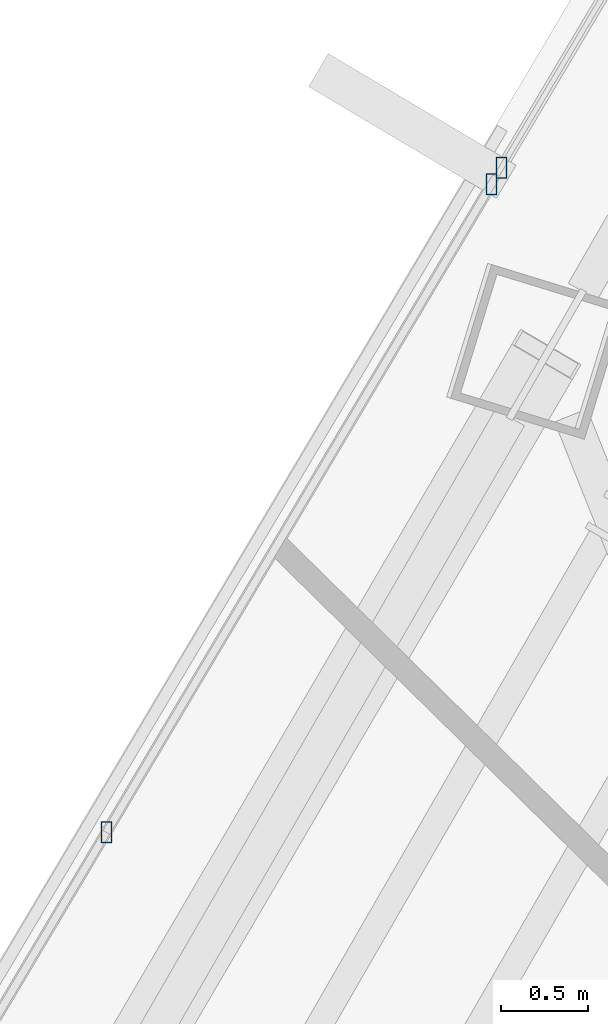
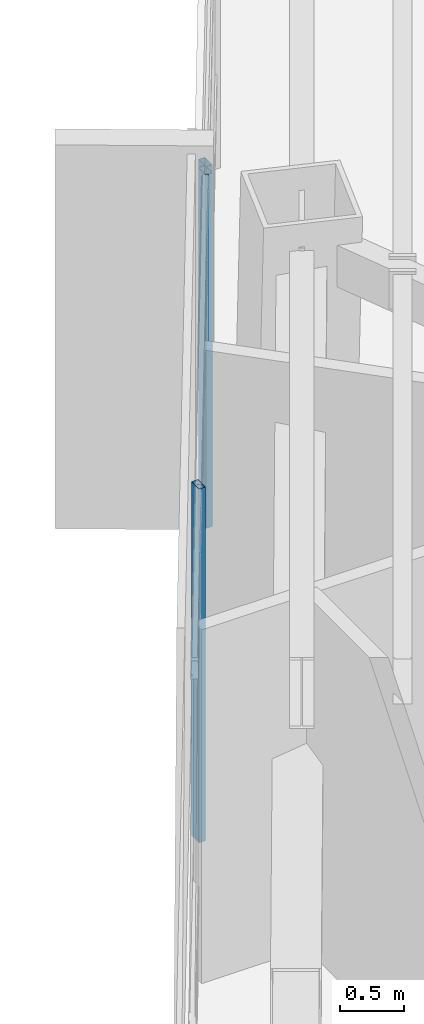
# One storey, part 19 of 49: 3 members, 2 elements without a shape of their own.
"""IFC4 building model written with IfcOpenShell, lengths in metres."""

from ifc_helpers import new_model, si_unit, direction, frame, origin, origin_2d, place, context, subcontext, project, spatial, hollow_rectangle, extrude, source, transform, mapped, material, material_profile, profile_set, type_object, type_shapes, element, aggregate, save


model = new_model("IFC4")

# Units and contexts
model_context = context("Model", 3, precision=1e-05, world=origin(), true_north=direction((0.0, 1.0)))
body_context = subcontext(model_context, "Body", "Model", "MODEL_VIEW")
ifc_project = project(units=[si_unit("LENGTHUNIT", "METRE"), si_unit("AREAUNIT", "SQUARE_METRE"), si_unit("VOLUMEUNIT", "CUBIC_METRE"), si_unit("PLANEANGLEUNIT", "RADIAN"), si_unit("MASSUNIT", "GRAM", prefix="KILO")], contexts=[model_context])

# Site, building, storey
site_placement = place(None, origin())
site = spatial("IfcSite", under=ifc_project, at=site_placement, CompositionType="ELEMENT")
building_placement = place(site_placement, origin())
building = spatial("IfcBuilding", under=site, at=building_placement, Name="Caelisora Broadcast Tower", CompositionType="ELEMENT")
storey_placement = place(building_placement, frame((0.0, 0.0, 233.5)))
storey = spatial("IfcBuildingStorey", under=building, at=storey_placement, Name="L61", CompositionType="ELEMENT", Elevation=233.5)

# Curtain wall, members
ifc_material_1 = material(Name="Unitised Aluminium Insulated Shadow-Box Spandrel Curtain Wall", Category="aluminium")
curtain_wall_type_1 = type_object("IfcCurtainWallType", Name="CW-SP3", PredefinedType="NOTDEFINED", material=ifc_material_1)
curtain_wall_1_placement = place(storey_placement, origin())
curtain_wall_1 = element("IfcCurtainWall", 1, at=curtain_wall_1_placement, inside=storey, type_object=curtain_wall_type_1, Name="L61 curtain wall CW-SP3", PredefinedType="NOTDEFINED")
ifc_material_2 = material(Name="Aluminium 6063-T6 Anodised Terracotta Bronze", Category="aluminium")
ifc_material_profile = material_profile(ifc_material_2, hollow_rectangle(XDim=0.06005859375, YDim=0.1201171875, WallThickness=0.0029296875, at=origin_2d()), Name="Aluminium 6063-T6 Anodised Terracotta Bronze")
ifc_profile_set = profile_set([ifc_material_profile], Name="Aluminium 6063-T6 Anodised Terracotta Bronze")
member_type = type_object("IfcMemberType", Name="CWM-04", PredefinedType="MULLION", material=ifc_profile_set)
shared_shape = source(origin(), body_context, "Body", "SweptSolid", [
    extrude(hollow_rectangle(XDim=0.06005859375, YDim=0.1201171875, WallThickness=0.0029296875, at=origin_2d()), origin(), (0.0, 0.0, 1.0), 3.39990234375),
])
type_shapes(member_type, [shared_shape])
member_1_placement = place(storey_placement, frame((25.3583984375, 33.829345703125, 0.0), z_axis=(0.0, 0.0, 1.0), x_axis=(1.0, 0.0, 0.0)))
member_1 = element("IfcMember", 2, at=member_1_placement, type_object=member_type, Name="L61-CW-B10 mullion #2", PredefinedType="MULLION", context=body_context, shape_type="MappedRepresentation", body=[
    mapped(shared_shape, transform((0.0, 0.0, 0.0), scale=1.0)),
])
member_2_placement = place(storey_placement, frame((27.5625, 37.5380859375, 0.0), z_axis=(0.0, 0.0, 1.0), x_axis=(1.0, 0.0, 0.0)))
member_2 = element("IfcMember", 3, at=member_2_placement, type_object=member_type, Name="L61-CW-B10 mullion #3", PredefinedType="MULLION", context=body_context, shape_type="MappedRepresentation", body=[
    mapped(shared_shape, transform((0.0, 0.0, 0.0), scale=1.0)),
])
aggregate(curtain_wall_1, [member_1, member_2])

# Curtain wall, member
ifc_material_3 = material(Name="Unitised Aluminium and Low-E Glass Curtain Wall", Category="glass")
curtain_wall_type_2 = type_object("IfcCurtainWallType", Name="CW-Z5", PredefinedType="NOTDEFINED", material=ifc_material_3)
curtain_wall_2_placement = place(storey_placement, origin())
curtain_wall_2 = element("IfcCurtainWall", 4, at=curtain_wall_2_placement, inside=storey, type_object=curtain_wall_type_2, Name="L61 curtain wall CW-Z5", PredefinedType="NOTDEFINED")
member_3_placement = place(storey_placement, frame((27.61865234375, 37.632568359375, 0.0), z_axis=(0.0, 0.0, 1.0), x_axis=(1.0, 0.0, 0.0)))
member_3 = element("IfcMember", 5, at=member_3_placement, type_object=member_type, Name="L61-CW-B11 mullion #0", PredefinedType="MULLION", context=body_context, shape_type="MappedRepresentation", body=[
    mapped(shared_shape, transform((0.0, 0.0, 0.0), scale=1.0)),
])
aggregate(curtain_wall_2, [member_3])

save(model, "model.ifc")
